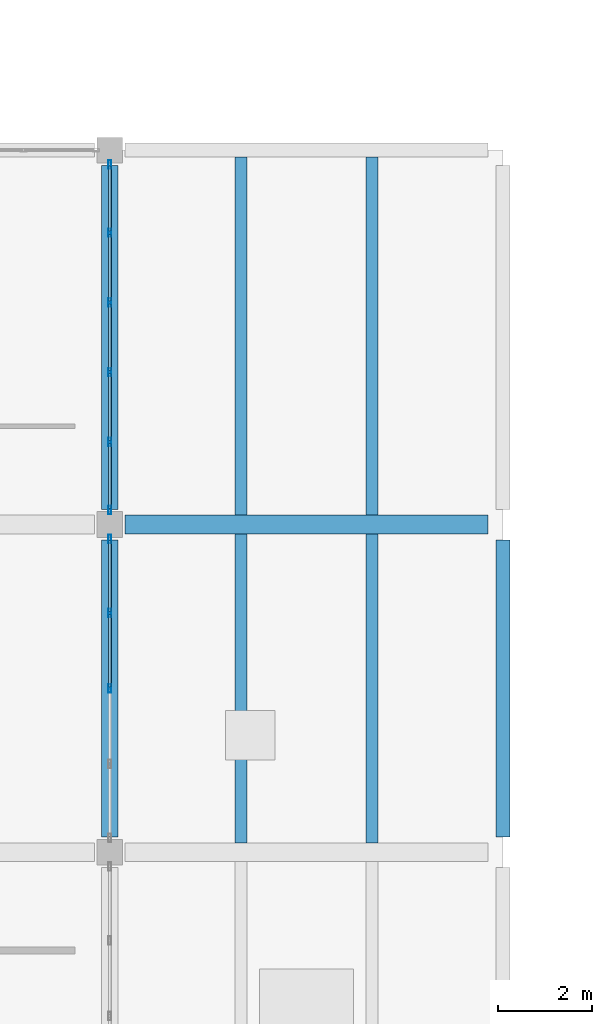
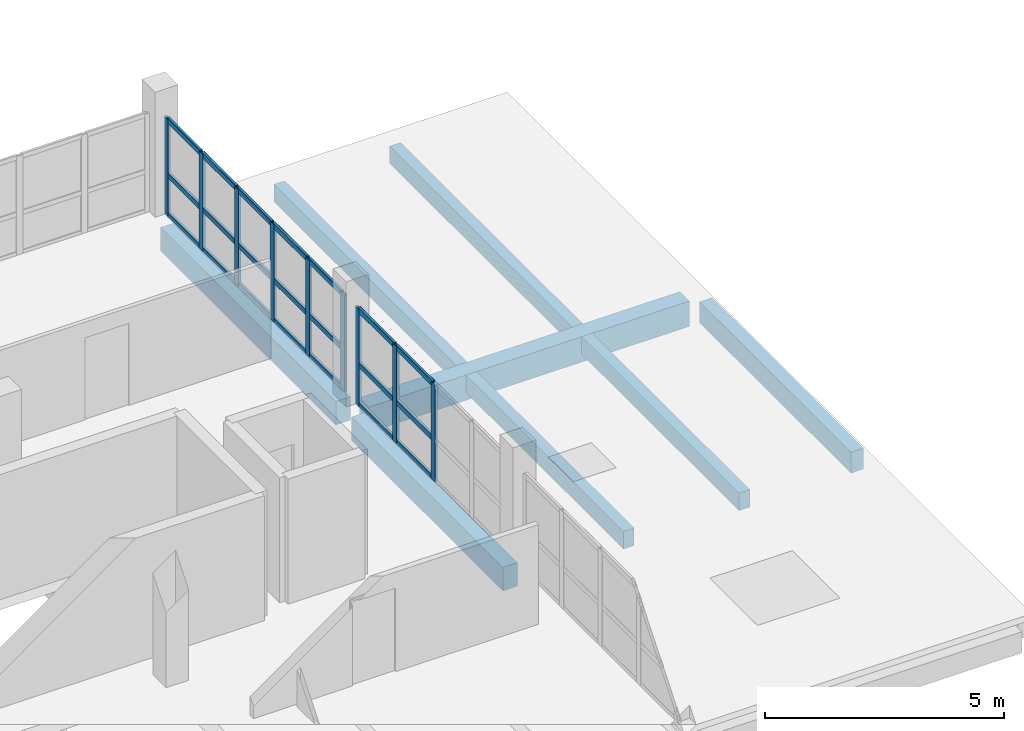
# One storey, part 16 of 24: 30 members, 8 beams, 2 elements without a shape of their own.
"""IFC4 building model written with IfcOpenShell, lengths in metres."""

import ifcopenshell
import ifcopenshell.guid

model = None  # the IFC model being written
_history = None  # IfcOwnerHistory: only IFC2X3 demands one
_inside = {}  # id of a spatial element -> (the spatial element, [elements in it])
_under = {}  # id of a project, library or spatial element -> (it, [spatial elements below it])
_declared = {}  # id of a project -> (the project, [libraries it declares])
_typed = {}  # id of a type object -> (the type object, [elements of that type])
_made_of = {}  # id of a material, layer set ... -> (it, [elements and type objects made of it])


def new_model(schema):
    """Start an empty IFC model of exactly this schema.

    Asked for "IFC4X3", IfcOpenShell would pick the latest addendum, in which some entities
    have other attributes; the version numbers below select the first issue.
    IFC2X3 requires an IfcOwnerHistory on every rooted entity: one is made here for all.
    """
    global model, _history
    if schema == "IFC4X3":
        model = ifcopenshell.file(schema_version=(4, 3, 0, 0))
    else:
        model = ifcopenshell.file(schema=schema)
    _inside.clear()
    _under.clear()
    _declared.clear()
    _typed.clear()
    _made_of.clear()
    _history = None
    if model.schema == "IFC2X3":
        org = make("IfcOrganization", Name="unknown")
        user = make(
            "IfcPersonAndOrganization",
            ThePerson=make("IfcPerson", FamilyName="unknown"),
            TheOrganization=org,
        )
        app = make(
            "IfcApplication",
            ApplicationDeveloper=org,
            Version="unknown",
            ApplicationFullName="unknown",
            ApplicationIdentifier="unknown",
        )
        _history = make(
            "IfcOwnerHistory",
            OwningUser=user,
            OwningApplication=app,
            ChangeAction="ADDED",
            CreationDate=0,
        )
    return model


def make(cls, **values):
    """One entity of the class cls with the attributes given. An attribute that is None is left unset."""
    return model.create_entity(
        cls, **{name: value for name, value in values.items() if value is not None}
    )


def rooted(cls, **values):
    """An entity with a GlobalId (a new one), such as an element, a storey or a relation."""
    return make(cls, GlobalId=ifcopenshell.guid.new(), OwnerHistory=_history, **values)


def si_unit(unit_type, name, prefix=None):
    """IfcSIUnit, for example si_unit("LENGTHUNIT", "METRE", prefix="MILLI")."""
    return make("IfcSIUnit", UnitType=unit_type, Prefix=prefix, Name=name)


def assignment(units):
    """IfcUnitAssignment: the units of a project."""
    return None if units is None else make("IfcUnitAssignment", Units=units)


def point(xyz):
    """IfcCartesianPoint."""
    return None if xyz is None else make("IfcCartesianPoint", Coordinates=xyz)


def direction(xyz):
    """IfcDirection."""
    return None if xyz is None else make("IfcDirection", DirectionRatios=xyz)


def frame(location, z_axis=None, x_axis=None):
    """IfcAxis2Placement3D, a coordinate frame: its origin and axes. An axis left out is left unset."""
    return make(
        "IfcAxis2Placement3D",
        Location=point(location),
        Axis=direction(z_axis),
        RefDirection=direction(x_axis),
    )


def frame_2d(location, x_axis=None):
    """IfcAxis2Placement2D, a coordinate frame in the plane: its origin and x axis."""
    return make(
        "IfcAxis2Placement2D", Location=point(location), RefDirection=direction(x_axis)
    )


def origin():
    """The frame at (0, 0, 0) with its axes left unset."""
    return frame((0.0, 0.0, 0.0))


def origin_2d():
    """The frame at (0, 0) in the plane with its x axis left unset."""
    return frame_2d((0.0, 0.0))


def place(relative_to, where):
    """IfcLocalPlacement: puts the frame where relative to a parent placement (None: the world)."""
    return make(
        "IfcLocalPlacement", PlacementRelTo=relative_to, RelativePlacement=where
    )


def context(
    kind, dimensions, precision=None, world=None, true_north=None, identifier=None
):
    """IfcGeometricRepresentationContext, for example the 3D "Model" context."""
    return make(
        "IfcGeometricRepresentationContext",
        ContextIdentifier=identifier,
        ContextType=kind,
        CoordinateSpaceDimension=dimensions,
        Precision=precision,
        WorldCoordinateSystem=world,
        TrueNorth=true_north,
    )


def subcontext(parent, identifier, kind, view, scale=None):
    """IfcGeometricRepresentationSubContext, for example "Body" below "Model"."""
    return make(
        "IfcGeometricRepresentationSubContext",
        ContextIdentifier=identifier,
        ContextType=kind,
        ParentContext=parent,
        TargetScale=scale,
        TargetView=view,
    )


def project(units=None, contexts=None):
    """IfcProject with its units and contexts."""
    return rooted(
        "IfcProject",
        Name="project",
        RepresentationContexts=contexts,
        UnitsInContext=assignment(units),
    )


def spatial(cls, under=None, at=None, **own):
    """A site, building, storey or space (cls), placed at a placement, below another one or the project."""
    s = rooted(cls, ObjectPlacement=at, **own)
    if under is not None:
        _under.setdefault(under.id(), (under, []))[1].append(s)
    return s


def profile(cls, at=None, kind="AREA", **sizes):
    """A parametric profile (cls). Its sizes go by their IFC names, for example OverallWidth=200.0."""
    return make(cls, ProfileType=kind, Position=at, **sizes)


def rectangle(**sizes):
    """IfcRectangleProfileDef."""
    return profile("IfcRectangleProfileDef", **sizes)


def hollow_rectangle(**sizes):
    """IfcRectangleHollowProfileDef."""
    return profile("IfcRectangleHollowProfileDef", **sizes)


def extrude(swept, where, along, depth):
    """IfcExtrudedAreaSolid: the profile swept, set in the frame where, extruded along a direction by depth."""
    return make(
        "IfcExtrudedAreaSolid",
        SweptArea=swept,
        Position=where,
        ExtrudedDirection=direction(along),
        Depth=depth,
    )


def shape(context_of_items, identifier, shape_type, items):
    """IfcShapeRepresentation: the items that make up one representation, for example the "Body"."""
    return make(
        "IfcShapeRepresentation",
        ContextOfItems=context_of_items,
        RepresentationIdentifier=identifier,
        RepresentationType=shape_type,
        Items=items,
    )


def material(Name=None, Category=None):
    """IfcMaterial."""
    return make("IfcMaterial", Name=Name, Category=Category)


def layer(
    of_material, thickness, ventilated=None, Name=None, Category=None, Priority=None
):
    """IfcMaterialLayer: one layer of a wall or slab, of a material (None: an air gap)."""
    return make(
        "IfcMaterialLayer",
        Material=of_material,
        LayerThickness=thickness,
        IsVentilated=ventilated,
        Name=Name,
        Category=Category,
        Priority=Priority,
    )


def layer_set(layers, Name=None):
    """IfcMaterialLayerSet."""
    return make("IfcMaterialLayerSet", MaterialLayers=layers, LayerSetName=Name)


def material_profile(
    of_material, cross_section, Name=None, Category=None, Priority=None
):
    """IfcMaterialProfile: a cross section and its material."""
    return make(
        "IfcMaterialProfile",
        Name=Name,
        Material=of_material,
        Profile=cross_section,
        Priority=Priority,
        Category=Category,
    )


def profile_set(profiles, Name=None, composite=None):
    """IfcMaterialProfileSet."""
    return make(
        "IfcMaterialProfileSet",
        Name=Name,
        MaterialProfiles=profiles,
        CompositeProfile=composite,
    )


def made_of(thing, what):
    """Note that an element or type object is made of a material, layer set ...; save() writes the relation."""
    if what is not None:
        _made_of.setdefault(what.id(), (what, []))[1].append(thing)
    return thing


def type_object(cls, material=None, **own):
    """A type object (cls), such as IfcWallType, which elements share."""
    return made_of(rooted(cls, **own), material)


def element(
    cls,
    number,
    at=None,
    inside=None,
    cuts=None,
    type_object=None,
    material=None,
    context=None,
    identifier="Body",
    shape_type=None,
    held_by="IfcProductDefinitionShape",
    body=None,
    shapes=None,
    **own,
):
    """One element of the class cls, such as IfcWall. Its Tag is "e" and its number.

    at: its placement. inside: the storey or other place that contains it. cuts: it is an
    opening in that element (IfcRelVoidsElement). A single representation is given by context,
    identifier, shape_type and body (its items); several are given by shapes. held_by: the class
    of the entity that holds the representations. save() writes the other relations.
    """
    e = rooted(cls, Tag="e%d" % number, ObjectPlacement=at, **own)
    if body is not None:
        shapes = [shape(context, identifier, shape_type, body)]
    if shapes is not None:
        e.Representation = make(held_by, Representations=shapes)
    if inside is not None:
        _inside.setdefault(inside.id(), (inside, []))[1].append(e)
    if cuts is not None:
        rooted(
            "IfcRelVoidsElement", RelatingBuildingElement=cuts, RelatedOpeningElement=e
        )
    if type_object is not None:
        _typed.setdefault(type_object.id(), (type_object, []))[1].append(e)
    return made_of(e, material)


def aggregate(whole, parts):
    """IfcRelAggregates: a whole, such as a stair, and the parts it consists of."""
    return rooted("IfcRelAggregates", RelatingObject=whole, RelatedObjects=parts)


def save(model, path):
    """Write the relations noted so far, then the file.

    IfcRelAggregates (storeys below a building ...), IfcRelContainedInSpatialStructure (elements
    in a storey), IfcRelDefinesByType, IfcRelAssociatesMaterial and IfcRelDeclares: one each for
    every whole, place, type object, material and project.
    """
    for whole, parts in _under.values():
        aggregate(whole, parts)
    for where, things in _inside.values():
        rooted(
            "IfcRelContainedInSpatialStructure",
            RelatedElements=things,
            RelatingStructure=where,
        )
    for kind, things in _typed.values():
        rooted("IfcRelDefinesByType", RelatedObjects=things, RelatingType=kind)
    for what, things in _made_of.values():
        rooted("IfcRelAssociatesMaterial", RelatedObjects=things, RelatingMaterial=what)
    for by, libraries in _declared.values():
        rooted("IfcRelDeclares", RelatingContext=by, RelatedDefinitions=libraries)
    model.write(path)


model = new_model("IFC4")

# Units and contexts
model_context = context("Model", 3, precision=1e-05, world=origin(), true_north=direction((0.0, 1.0)))
body_context = subcontext(model_context, "Body", "Model", "MODEL_VIEW")
ifc_project = project(units=[si_unit("LENGTHUNIT", "METRE"), si_unit("AREAUNIT", "SQUARE_METRE"), si_unit("VOLUMEUNIT", "CUBIC_METRE"), si_unit("PLANEANGLEUNIT", "RADIAN"), si_unit("MASSUNIT", "GRAM", prefix="KILO"), si_unit("THERMODYNAMICTEMPERATUREUNIT", "KELVIN"), si_unit("POWERUNIT", "WATT")], contexts=[model_context])

# Site, building, storey
site_placement = place(None, origin())
site = spatial("IfcSite", under=ifc_project, at=site_placement, CompositionType="ELEMENT")
building_placement = place(site_placement, origin())
building = spatial("IfcBuilding", under=site, at=building_placement, Name="Mavoryth Pier Ferry Terminal", CompositionType="ELEMENT")
storey_placement = place(building_placement, frame((0.0, 0.0, 16.320068359375)))
storey = spatial("IfcBuildingStorey", under=building, at=storey_placement, Name="L04", CompositionType="ELEMENT", Elevation=16.320068359375)

# Beams
ifc_material_1 = material(Name="Concrete C35/45", Category="concrete")
ifc_material_profile_1 = material_profile(ifc_material_1, rectangle(XDim=0.35009765625, YDim=0.60009765625, at=origin_2d()), Name="RC 350x600", Category="concrete")
ifc_profile_set_1 = profile_set([ifc_material_profile_1], Name="Concrete C35/45 - RC 350x600")
beam_type_1 = type_object("IfcBeamType", Name="Girder-RC-350x600", PredefinedType="BEAM", material=ifc_profile_set_1)
beam_1_placement = place(storey_placement, frame((75.60009765625, 7.324951171875, -0.56005859375), z_axis=(0.0, 1.0, 0.0), x_axis=(-1.0, 0.0, 0.0)))
element("IfcBeam", 1, at=beam_1_placement, inside=storey, type_object=beam_type_1, Name="Beam B04-BG08-1487", PredefinedType="BEAM", context=body_context, shape_type="SweptSolid", body=[
    extrude(rectangle(XDim=0.35009765625, YDim=0.60009765625, at=origin_2d()), origin(), (0.0, 0.0, 1.0), 6.35009765625),
])
beam_2_placement = place(storey_placement, frame((75.60009765625, 14.324951171875, -0.56005859375), z_axis=(0.0, 1.0, 0.0), x_axis=(-1.0, 0.0, 0.0)))
element("IfcBeam", 2, at=beam_2_placement, inside=storey, type_object=beam_type_1, Name="Beam B04-BG08-1488", PredefinedType="BEAM", context=body_context, shape_type="SweptSolid", body=[
    extrude(rectangle(XDim=0.35009765625, YDim=0.60009765625, at=origin_2d()), origin(), (0.0, 0.0, 1.0), 7.35009765625),
])
ifc_material_profile_2 = material_profile(ifc_material_1, rectangle(XDim=0.39990234375, YDim=0.64990234375, at=origin_2d()), Name="RC 400x650", Category="concrete")
ifc_profile_set_2 = profile_set([ifc_material_profile_2], Name="Concrete C35/45 - RC 400x650")
beam_type_2 = type_object("IfcBeamType", Name="Girder-RC-400x650", PredefinedType="BEAM", material=ifc_profile_set_2)
beam_3_placement = place(storey_placement, frame((75.925048828125, 14.0, -0.5849609375), z_axis=(1.0, 0.0, 0.0), x_axis=(0.0, 1.0, 0.0)))
element("IfcBeam", 3, at=beam_3_placement, inside=storey, type_object=beam_type_2, Name="Beam B04-BG05-1471", PredefinedType="BEAM", context=body_context, shape_type="SweptSolid", body=[
    extrude(rectangle(XDim=0.39990234375, YDim=0.64990234375, at=origin_2d()), origin(), (0.0, 0.0, 1.0), 7.75),
])
ifc_material_profile_3 = material_profile(ifc_material_1, rectangle(XDim=0.260009765625, YDim=0.449951171875, at=origin_2d()), Name="RC 260x450", Category="concrete")
ifc_profile_set_3 = profile_set([ifc_material_profile_3], Name="Concrete C35/45 - RC 260x450")
beam_type_3 = type_object("IfcBeamType", Name="Joist-RC-260x450", PredefinedType="JOIST", material=ifc_profile_set_3)
for number, where, z_axis, x_axis, name in (
    (4, (78.39990234375, 7.199951171875, -0.485107421875), (0.0, 1.0, 0.0), (-1.0, 0.0, 0.0), "Beam B04-BJ03-1514"),
    (5, (81.199951171875, 7.199951171875, -0.485107421875), (0.0, 1.0, 0.0), (-1.0, 0.0, 0.0), "Beam B04-BJ03-1515"),
):
    element("IfcBeam", number, at=place(storey_placement, frame(where, z_axis=z_axis, x_axis=x_axis)), inside=storey, type_object=beam_type_3, Name=name, PredefinedType="JOIST", context=body_context, shape_type="SweptSolid", body=[
        extrude(rectangle(XDim=0.260009765625, YDim=0.449951171875, at=origin_2d()), origin(), (0.0, 0.0, 1.0), 6.60009765625),
    ])
for number, where, z_axis, x_axis, name in (
    (6, (78.39990234375, 14.199951171875, -0.485107421875), (0.0, 1.0, 0.0), (-1.0, 0.0, 0.0), "Beam B04-BJ03-1516"),
    (7, (81.199951171875, 14.199951171875, -0.485107421875), (0.0, 1.0, 0.0), (-1.0, 0.0, 0.0), "Beam B04-BJ03-1517"),
):
    element("IfcBeam", number, at=place(storey_placement, frame(where, z_axis=z_axis, x_axis=x_axis)), inside=storey, type_object=beam_type_3, Name=name, PredefinedType="JOIST", context=body_context, shape_type="SweptSolid", body=[
        extrude(rectangle(XDim=0.260009765625, YDim=0.449951171875, at=origin_2d()), origin(), (0.0, 0.0, 1.0), 7.650146484375),
    ])

# Curtain wall, members
ifc_material_2 = material(Name="Anodised Aluminium and Solar-Control Low-E Glass", Category="aluminium")
ifc_layer = layer(ifc_material_2, 0.260009765625, Name="Anodised Aluminium and Solar-Control Low-E Glass", Category="aluminium")
ifc_layer_set = layer_set([ifc_layer], Name="Anodised Aluminium and Solar-Control Low-E Glass - CW-VTSBridge-Mod1500")
curtain_wall_type = type_object("IfcCurtainWallType", Name="CW-VTSBridge-Mod1500", PredefinedType="USERDEFINED", material=ifc_layer_set)
curtain_wall_1_placement = place(storey_placement, origin())
curtain_wall_1 = element("IfcCurtainWall", 8, at=curtain_wall_1_placement, inside=storey, type_object=curtain_wall_type, Name="Curtain Wall CW-0433-160", ObjectType="UNITISED CURTAIN WALL", PredefinedType="USERDEFINED")
ifc_material_3 = material(Name="Anodised Aluminium EN AW-6063", Category="aluminium")
ifc_material_profile_4 = material_profile(ifc_material_3, hollow_rectangle(XDim=0.06494140625, YDim=0.179931640625, WallThickness=0.00390625, InnerFilletRadius=0.00390625, OuterFilletRadius=0.008056640625, at=origin_2d()), Name="AL-MULL 180x65x4", Category="aluminium")
ifc_profile_set_4 = profile_set([ifc_material_profile_4], Name="Anodised Aluminium EN AW-6063 - AL-MULL 180x65x4")
member_type_1 = type_object("IfcMemberType", Name="Mullion-Alum-180x65", PredefinedType="MULLION", material=ifc_profile_set_4)
member_1_placement = place(storey_placement, frame((75.60009765625, 10.5, 0.0), z_axis=(0.0, 0.0, 1.0), x_axis=(-1.0, 0.0, 0.0)))
member_1 = element("IfcMember", 9, at=member_1_placement, type_object=member_type_1, Name="CW07 mullion 3", PredefinedType="MULLION", context=body_context, shape_type="SweptSolid", body=[
    extrude(hollow_rectangle(XDim=0.06494140625, YDim=0.179931640625, WallThickness=0.00390625, InnerFilletRadius=0.00390625, OuterFilletRadius=0.008056640625, at=origin_2d()), origin(), (0.0, 0.0, 1.0), 2.474853515625),
])
member_2_placement = place(storey_placement, frame((75.60009765625, 12.112548828125, 0.0), z_axis=(0.0, 0.0, 1.0), x_axis=(-1.0, 0.0, 0.0)))
member_2 = element("IfcMember", 10, at=member_2_placement, type_object=member_type_1, Name="CW07 mullion 4", PredefinedType="MULLION", context=body_context, shape_type="SweptSolid", body=[
    extrude(hollow_rectangle(XDim=0.06494140625, YDim=0.179931640625, WallThickness=0.00390625, InnerFilletRadius=0.00390625, OuterFilletRadius=0.008056640625, at=origin_2d()), origin(), (0.0, 0.0, 1.0), 2.474853515625),
])
member_3_placement = place(storey_placement, frame((75.60009765625, 13.6923828125, 0.0), z_axis=(0.0, 0.0, 1.0), x_axis=(-1.0, 0.0, 0.0)))
member_3 = element("IfcMember", 11, at=member_3_placement, type_object=member_type_1, Name="CW07 mullion 5", PredefinedType="MULLION", context=body_context, shape_type="SweptSolid", body=[
    extrude(hollow_rectangle(XDim=0.06494140625, YDim=0.179931640625, WallThickness=0.00390625, InnerFilletRadius=0.00390625, OuterFilletRadius=0.008056640625, at=origin_2d()), origin(), (0.0, 0.0, 1.0), 2.474853515625),
])

curtain_wall_2_placement = place(storey_placement, origin())
curtain_wall_2 = element("IfcCurtainWall", 12, at=curtain_wall_2_placement, inside=storey, type_object=curtain_wall_type, Name="Curtain Wall CW-0433-161", ObjectType="UNITISED CURTAIN WALL", PredefinedType="USERDEFINED")
member_4_placement = place(storey_placement, frame((75.60009765625, 14.3076171875, 0.0), z_axis=(0.0, 0.0, 1.0), x_axis=(-1.0, 0.0, 0.0)))
member_4 = element("IfcMember", 13, at=member_4_placement, type_object=member_type_1, Name="CW07 mullion 1", PredefinedType="MULLION", context=body_context, shape_type="SweptSolid", body=[
    extrude(hollow_rectangle(XDim=0.06494140625, YDim=0.179931640625, WallThickness=0.00390625, InnerFilletRadius=0.00390625, OuterFilletRadius=0.008056640625, at=origin_2d()), origin(), (0.0, 0.0, 1.0), 2.474853515625),
])
member_5_placement = place(storey_placement, frame((75.60009765625, 15.764892578125, 0.0), z_axis=(0.0, 0.0, 1.0), x_axis=(-1.0, 0.0, 0.0)))
member_5 = element("IfcMember", 14, at=member_5_placement, type_object=member_type_1, Name="CW07 mullion 2", PredefinedType="MULLION", context=body_context, shape_type="SweptSolid", body=[
    extrude(hollow_rectangle(XDim=0.06494140625, YDim=0.179931640625, WallThickness=0.00390625, InnerFilletRadius=0.00390625, OuterFilletRadius=0.008056640625, at=origin_2d()), origin(), (0.0, 0.0, 1.0), 2.474853515625),
])
member_6_placement = place(storey_placement, frame((75.60009765625, 17.2548828125, 0.0), z_axis=(0.0, 0.0, 1.0), x_axis=(-1.0, 0.0, 0.0)))
member_6 = element("IfcMember", 15, at=member_6_placement, type_object=member_type_1, Name="CW07 mullion 3", PredefinedType="MULLION", context=body_context, shape_type="SweptSolid", body=[
    extrude(hollow_rectangle(XDim=0.06494140625, YDim=0.179931640625, WallThickness=0.00390625, InnerFilletRadius=0.00390625, OuterFilletRadius=0.008056640625, at=origin_2d()), origin(), (0.0, 0.0, 1.0), 2.474853515625),
])
member_7_placement = place(storey_placement, frame((75.60009765625, 18.7451171875, 0.0), z_axis=(0.0, 0.0, 1.0), x_axis=(-1.0, 0.0, 0.0)))
member_7 = element("IfcMember", 16, at=member_7_placement, type_object=member_type_1, Name="CW07 mullion 4", PredefinedType="MULLION", context=body_context, shape_type="SweptSolid", body=[
    extrude(hollow_rectangle(XDim=0.06494140625, YDim=0.179931640625, WallThickness=0.00390625, InnerFilletRadius=0.00390625, OuterFilletRadius=0.008056640625, at=origin_2d()), origin(), (0.0, 0.0, 1.0), 2.474853515625),
])
member_8_placement = place(storey_placement, frame((75.60009765625, 20.235107421875, 0.0), z_axis=(0.0, 0.0, 1.0), x_axis=(-1.0, 0.0, 0.0)))
member_8 = element("IfcMember", 17, at=member_8_placement, type_object=member_type_1, Name="CW07 mullion 5", PredefinedType="MULLION", context=body_context, shape_type="SweptSolid", body=[
    extrude(hollow_rectangle(XDim=0.06494140625, YDim=0.179931640625, WallThickness=0.00390625, InnerFilletRadius=0.00390625, OuterFilletRadius=0.008056640625, at=origin_2d()), origin(), (0.0, 0.0, 1.0), 2.474853515625),
])
member_9_placement = place(storey_placement, frame((75.60009765625, 21.6923828125, 0.0), z_axis=(0.0, 0.0, 1.0), x_axis=(-1.0, 0.0, 0.0)))
member_9 = element("IfcMember", 18, at=member_9_placement, type_object=member_type_1, Name="CW07 mullion 6", PredefinedType="MULLION", context=body_context, shape_type="SweptSolid", body=[
    extrude(hollow_rectangle(XDim=0.06494140625, YDim=0.179931640625, WallThickness=0.00390625, InnerFilletRadius=0.00390625, OuterFilletRadius=0.008056640625, at=origin_2d()), origin(), (0.0, 0.0, 1.0), 2.474853515625),
])

# Beam
ifc_material_profile_5 = material_profile(ifc_material_1, rectangle(XDim=0.300048828125, YDim=0.5400390625, at=origin_2d()), Name="RC 300x540", Category="concrete")
ifc_profile_set_5 = profile_set([ifc_material_profile_5], Name="Concrete C35/45 - RC 300x540")
beam_type_4 = type_object("IfcBeamType", Name="Spandrel-RC-300x540", PredefinedType="SPANDREL", material=ifc_profile_set_5)
beam_4_placement = place(storey_placement, frame((84.0, 7.324951171875, -0.530029296875), z_axis=(0.0, 1.0, 0.0), x_axis=(-1.0, 0.0, 0.0)))
element("IfcBeam", 19, at=beam_4_placement, inside=storey, type_object=beam_type_4, Name="Beam B04-SP02-1490", PredefinedType="SPANDREL", context=body_context, shape_type="SweptSolid", body=[
    extrude(rectangle(XDim=0.300048828125, YDim=0.5400390625, at=origin_2d()), origin(), (0.0, 0.0, 1.0), 6.35009765625),
])

# Member
ifc_material_profile_6 = material_profile(ifc_material_3, hollow_rectangle(XDim=0.06494140625, YDim=0.139892578125, WallThickness=0.00390625, InnerFilletRadius=0.00390625, OuterFilletRadius=0.008056640625, at=origin_2d()), Name="AL-TRAN 140x65x4", Category="aluminium")
ifc_profile_set_6 = profile_set([ifc_material_profile_6], Name="Anodised Aluminium EN AW-6063 - AL-TRAN 140x65x4")
member_type_2 = type_object("IfcMemberType", Name="Transom-Alum-140x65", PredefinedType="USERDEFINED", material=ifc_profile_set_6)
member_10_placement = place(storey_placement, frame((75.60009765625, 10.532470703125, 0.032470703125), z_axis=(0.0, 1.0, 0.0), x_axis=(-1.0, 0.0, 0.0)))
member_10 = element("IfcMember", 20, at=member_10_placement, type_object=member_type_2, Name="CW07 transom 3.1", ObjectType="TRANSOM", PredefinedType="USERDEFINED", context=body_context, shape_type="SweptSolid", body=[
    extrude(hollow_rectangle(XDim=0.06494140625, YDim=0.139892578125, WallThickness=0.00390625, InnerFilletRadius=0.00390625, OuterFilletRadius=0.008056640625, at=origin_2d()), origin(), (0.0, 0.0, 1.0), 1.547607421875),
])

member_11_placement = place(storey_placement, frame((75.60009765625, 10.532470703125, 1.050048828125), z_axis=(0.0, 1.0, 0.0), x_axis=(-1.0, 0.0, 0.0)))
member_11 = element("IfcMember", 21, at=member_11_placement, type_object=member_type_2, Name="CW07 transom 3.2", ObjectType="TRANSOM", PredefinedType="USERDEFINED", context=body_context, shape_type="SweptSolid", body=[
    extrude(hollow_rectangle(XDim=0.06494140625, YDim=0.139892578125, WallThickness=0.00390625, InnerFilletRadius=0.00390625, OuterFilletRadius=0.008056640625, at=origin_2d()), origin(), (0.0, 0.0, 1.0), 1.547607421875),
])

member_12_placement = place(storey_placement, frame((75.60009765625, 10.532470703125, 2.4423828125), z_axis=(0.0, 1.0, 0.0), x_axis=(-1.0, 0.0, 0.0)))
member_12 = element("IfcMember", 22, at=member_12_placement, type_object=member_type_2, Name="CW07 transom 3.3", ObjectType="TRANSOM", PredefinedType="USERDEFINED", context=body_context, shape_type="SweptSolid", body=[
    extrude(hollow_rectangle(XDim=0.06494140625, YDim=0.139892578125, WallThickness=0.00390625, InnerFilletRadius=0.00390625, OuterFilletRadius=0.008056640625, at=origin_2d()), origin(), (0.0, 0.0, 1.0), 1.547607421875),
])

member_13_placement = place(storey_placement, frame((75.60009765625, 12.14501953125, 0.032470703125), z_axis=(0.0, 1.0, 0.0), x_axis=(-1.0, 0.0, 0.0)))
member_13 = element("IfcMember", 23, at=member_13_placement, type_object=member_type_2, Name="CW07 transom 4.1", ObjectType="TRANSOM", PredefinedType="USERDEFINED", context=body_context, shape_type="SweptSolid", body=[
    extrude(hollow_rectangle(XDim=0.06494140625, YDim=0.139892578125, WallThickness=0.00390625, InnerFilletRadius=0.00390625, OuterFilletRadius=0.008056640625, at=origin_2d()), origin(), (0.0, 0.0, 1.0), 1.514892578125),
])

member_14_placement = place(storey_placement, frame((75.60009765625, 12.14501953125, 1.050048828125), z_axis=(0.0, 1.0, 0.0), x_axis=(-1.0, 0.0, 0.0)))
member_14 = element("IfcMember", 24, at=member_14_placement, type_object=member_type_2, Name="CW07 transom 4.2", ObjectType="TRANSOM", PredefinedType="USERDEFINED", context=body_context, shape_type="SweptSolid", body=[
    extrude(hollow_rectangle(XDim=0.06494140625, YDim=0.139892578125, WallThickness=0.00390625, InnerFilletRadius=0.00390625, OuterFilletRadius=0.008056640625, at=origin_2d()), origin(), (0.0, 0.0, 1.0), 1.514892578125),
])

member_15_placement = place(storey_placement, frame((75.60009765625, 12.14501953125, 2.4423828125), z_axis=(0.0, 1.0, 0.0), x_axis=(-1.0, 0.0, 0.0)))
member_15 = element("IfcMember", 25, at=member_15_placement, type_object=member_type_2, Name="CW07 transom 4.3", ObjectType="TRANSOM", PredefinedType="USERDEFINED", context=body_context, shape_type="SweptSolid", body=[
    extrude(hollow_rectangle(XDim=0.06494140625, YDim=0.139892578125, WallThickness=0.00390625, InnerFilletRadius=0.00390625, OuterFilletRadius=0.008056640625, at=origin_2d()), origin(), (0.0, 0.0, 1.0), 1.514892578125),
])

aggregate(curtain_wall_1, [member_1, member_2, member_3, member_10, member_11, member_12, member_13, member_14, member_15])

member_16_placement = place(storey_placement, frame((75.60009765625, 14.340087890625, 0.032470703125), z_axis=(0.0, 1.0, 0.0), x_axis=(-1.0, 0.0, 0.0)))
member_16 = element("IfcMember", 26, at=member_16_placement, type_object=member_type_2, Name="CW07 transom 1.1", ObjectType="TRANSOM", PredefinedType="USERDEFINED", context=body_context, shape_type="SweptSolid", body=[
    extrude(hollow_rectangle(XDim=0.06494140625, YDim=0.139892578125, WallThickness=0.00390625, InnerFilletRadius=0.00390625, OuterFilletRadius=0.008056640625, at=origin_2d()), origin(), (0.0, 0.0, 1.0), 1.392333984375),
])

member_17_placement = place(storey_placement, frame((75.60009765625, 14.340087890625, 1.050048828125), z_axis=(0.0, 1.0, 0.0), x_axis=(-1.0, 0.0, 0.0)))
member_17 = element("IfcMember", 27, at=member_17_placement, type_object=member_type_2, Name="CW07 transom 1.2", ObjectType="TRANSOM", PredefinedType="USERDEFINED", context=body_context, shape_type="SweptSolid", body=[
    extrude(hollow_rectangle(XDim=0.06494140625, YDim=0.139892578125, WallThickness=0.00390625, InnerFilletRadius=0.00390625, OuterFilletRadius=0.008056640625, at=origin_2d()), origin(), (0.0, 0.0, 1.0), 1.392333984375),
])

member_18_placement = place(storey_placement, frame((75.60009765625, 14.340087890625, 2.4423828125), z_axis=(0.0, 1.0, 0.0), x_axis=(-1.0, 0.0, 0.0)))
member_18 = element("IfcMember", 28, at=member_18_placement, type_object=member_type_2, Name="CW07 transom 1.3", ObjectType="TRANSOM", PredefinedType="USERDEFINED", context=body_context, shape_type="SweptSolid", body=[
    extrude(hollow_rectangle(XDim=0.06494140625, YDim=0.139892578125, WallThickness=0.00390625, InnerFilletRadius=0.00390625, OuterFilletRadius=0.008056640625, at=origin_2d()), origin(), (0.0, 0.0, 1.0), 1.392333984375),
])

member_19_placement = place(storey_placement, frame((75.60009765625, 15.797607421875, 0.032470703125), z_axis=(0.0, 1.0, 0.0), x_axis=(-1.0, 0.0, 0.0)))
member_19 = element("IfcMember", 29, at=member_19_placement, type_object=member_type_2, Name="CW07 transom 2.1", ObjectType="TRANSOM", PredefinedType="USERDEFINED", context=body_context, shape_type="SweptSolid", body=[
    extrude(hollow_rectangle(XDim=0.06494140625, YDim=0.139892578125, WallThickness=0.00390625, InnerFilletRadius=0.00390625, OuterFilletRadius=0.008056640625, at=origin_2d()), origin(), (0.0, 0.0, 1.0), 1.4248046875),
])

member_20_placement = place(storey_placement, frame((75.60009765625, 15.797607421875, 1.050048828125), z_axis=(0.0, 1.0, 0.0), x_axis=(-1.0, 0.0, 0.0)))
member_20 = element("IfcMember", 30, at=member_20_placement, type_object=member_type_2, Name="CW07 transom 2.2", ObjectType="TRANSOM", PredefinedType="USERDEFINED", context=body_context, shape_type="SweptSolid", body=[
    extrude(hollow_rectangle(XDim=0.06494140625, YDim=0.139892578125, WallThickness=0.00390625, InnerFilletRadius=0.00390625, OuterFilletRadius=0.008056640625, at=origin_2d()), origin(), (0.0, 0.0, 1.0), 1.4248046875),
])

member_21_placement = place(storey_placement, frame((75.60009765625, 15.797607421875, 2.4423828125), z_axis=(0.0, 1.0, 0.0), x_axis=(-1.0, 0.0, 0.0)))
member_21 = element("IfcMember", 31, at=member_21_placement, type_object=member_type_2, Name="CW07 transom 2.3", ObjectType="TRANSOM", PredefinedType="USERDEFINED", context=body_context, shape_type="SweptSolid", body=[
    extrude(hollow_rectangle(XDim=0.06494140625, YDim=0.139892578125, WallThickness=0.00390625, InnerFilletRadius=0.00390625, OuterFilletRadius=0.008056640625, at=origin_2d()), origin(), (0.0, 0.0, 1.0), 1.4248046875),
])

member_22_placement = place(storey_placement, frame((75.60009765625, 17.28759765625, 0.032470703125), z_axis=(0.0, 1.0, 0.0), x_axis=(-1.0, 0.0, 0.0)))
member_22 = element("IfcMember", 32, at=member_22_placement, type_object=member_type_2, Name="CW07 transom 3.1", ObjectType="TRANSOM", PredefinedType="USERDEFINED", context=body_context, shape_type="SweptSolid", body=[
    extrude(hollow_rectangle(XDim=0.06494140625, YDim=0.139892578125, WallThickness=0.00390625, InnerFilletRadius=0.00390625, OuterFilletRadius=0.008056640625, at=origin_2d()), origin(), (0.0, 0.0, 1.0), 1.4248046875),
])

member_23_placement = place(storey_placement, frame((75.60009765625, 17.28759765625, 1.050048828125), z_axis=(0.0, 1.0, 0.0), x_axis=(-1.0, 0.0, 0.0)))
member_23 = element("IfcMember", 33, at=member_23_placement, type_object=member_type_2, Name="CW07 transom 3.2", ObjectType="TRANSOM", PredefinedType="USERDEFINED", context=body_context, shape_type="SweptSolid", body=[
    extrude(hollow_rectangle(XDim=0.06494140625, YDim=0.139892578125, WallThickness=0.00390625, InnerFilletRadius=0.00390625, OuterFilletRadius=0.008056640625, at=origin_2d()), origin(), (0.0, 0.0, 1.0), 1.4248046875),
])

member_24_placement = place(storey_placement, frame((75.60009765625, 17.28759765625, 2.4423828125), z_axis=(0.0, 1.0, 0.0), x_axis=(-1.0, 0.0, 0.0)))
member_24 = element("IfcMember", 34, at=member_24_placement, type_object=member_type_2, Name="CW07 transom 3.3", ObjectType="TRANSOM", PredefinedType="USERDEFINED", context=body_context, shape_type="SweptSolid", body=[
    extrude(hollow_rectangle(XDim=0.06494140625, YDim=0.139892578125, WallThickness=0.00390625, InnerFilletRadius=0.00390625, OuterFilletRadius=0.008056640625, at=origin_2d()), origin(), (0.0, 0.0, 1.0), 1.4248046875),
])

member_25_placement = place(storey_placement, frame((75.60009765625, 18.777587890625, 0.032470703125), z_axis=(0.0, 1.0, 0.0), x_axis=(-1.0, 0.0, 0.0)))
member_25 = element("IfcMember", 35, at=member_25_placement, type_object=member_type_2, Name="CW07 transom 4.1", ObjectType="TRANSOM", PredefinedType="USERDEFINED", context=body_context, shape_type="SweptSolid", body=[
    extrude(hollow_rectangle(XDim=0.06494140625, YDim=0.139892578125, WallThickness=0.00390625, InnerFilletRadius=0.00390625, OuterFilletRadius=0.008056640625, at=origin_2d()), origin(), (0.0, 0.0, 1.0), 1.4248046875),
])

member_26_placement = place(storey_placement, frame((75.60009765625, 18.777587890625, 1.050048828125), z_axis=(0.0, 1.0, 0.0), x_axis=(-1.0, 0.0, 0.0)))
member_26 = element("IfcMember", 36, at=member_26_placement, type_object=member_type_2, Name="CW07 transom 4.2", ObjectType="TRANSOM", PredefinedType="USERDEFINED", context=body_context, shape_type="SweptSolid", body=[
    extrude(hollow_rectangle(XDim=0.06494140625, YDim=0.139892578125, WallThickness=0.00390625, InnerFilletRadius=0.00390625, OuterFilletRadius=0.008056640625, at=origin_2d()), origin(), (0.0, 0.0, 1.0), 1.4248046875),
])

member_27_placement = place(storey_placement, frame((75.60009765625, 18.777587890625, 2.4423828125), z_axis=(0.0, 1.0, 0.0), x_axis=(-1.0, 0.0, 0.0)))
member_27 = element("IfcMember", 37, at=member_27_placement, type_object=member_type_2, Name="CW07 transom 4.3", ObjectType="TRANSOM", PredefinedType="USERDEFINED", context=body_context, shape_type="SweptSolid", body=[
    extrude(hollow_rectangle(XDim=0.06494140625, YDim=0.139892578125, WallThickness=0.00390625, InnerFilletRadius=0.00390625, OuterFilletRadius=0.008056640625, at=origin_2d()), origin(), (0.0, 0.0, 1.0), 1.4248046875),
])

member_28_placement = place(storey_placement, frame((75.60009765625, 20.267578125, 0.032470703125), z_axis=(0.0, 1.0, 0.0), x_axis=(-1.0, 0.0, 0.0)))
member_28 = element("IfcMember", 38, at=member_28_placement, type_object=member_type_2, Name="CW07 transom 5.1", ObjectType="TRANSOM", PredefinedType="USERDEFINED", context=body_context, shape_type="SweptSolid", body=[
    extrude(hollow_rectangle(XDim=0.06494140625, YDim=0.139892578125, WallThickness=0.00390625, InnerFilletRadius=0.00390625, OuterFilletRadius=0.008056640625, at=origin_2d()), origin(), (0.0, 0.0, 1.0), 1.392333984375),
])

member_29_placement = place(storey_placement, frame((75.60009765625, 20.267578125, 1.050048828125), z_axis=(0.0, 1.0, 0.0), x_axis=(-1.0, 0.0, 0.0)))
member_29 = element("IfcMember", 39, at=member_29_placement, type_object=member_type_2, Name="CW07 transom 5.2", ObjectType="TRANSOM", PredefinedType="USERDEFINED", context=body_context, shape_type="SweptSolid", body=[
    extrude(hollow_rectangle(XDim=0.06494140625, YDim=0.139892578125, WallThickness=0.00390625, InnerFilletRadius=0.00390625, OuterFilletRadius=0.008056640625, at=origin_2d()), origin(), (0.0, 0.0, 1.0), 1.392333984375),
])

member_30_placement = place(storey_placement, frame((75.60009765625, 20.267578125, 2.4423828125), z_axis=(0.0, 1.0, 0.0), x_axis=(-1.0, 0.0, 0.0)))
member_30 = element("IfcMember", 40, at=member_30_placement, type_object=member_type_2, Name="CW07 transom 5.3", ObjectType="TRANSOM", PredefinedType="USERDEFINED", context=body_context, shape_type="SweptSolid", body=[
    extrude(hollow_rectangle(XDim=0.06494140625, YDim=0.139892578125, WallThickness=0.00390625, InnerFilletRadius=0.00390625, OuterFilletRadius=0.008056640625, at=origin_2d()), origin(), (0.0, 0.0, 1.0), 1.392333984375),
])

aggregate(curtain_wall_2, [member_4, member_5, member_6, member_7, member_8, member_9, member_16, member_17, member_18, member_19, member_20, member_21, member_22, member_23, member_24, member_25, member_26, member_27, member_28, member_29, member_30])

save(model, "model.ifc")
